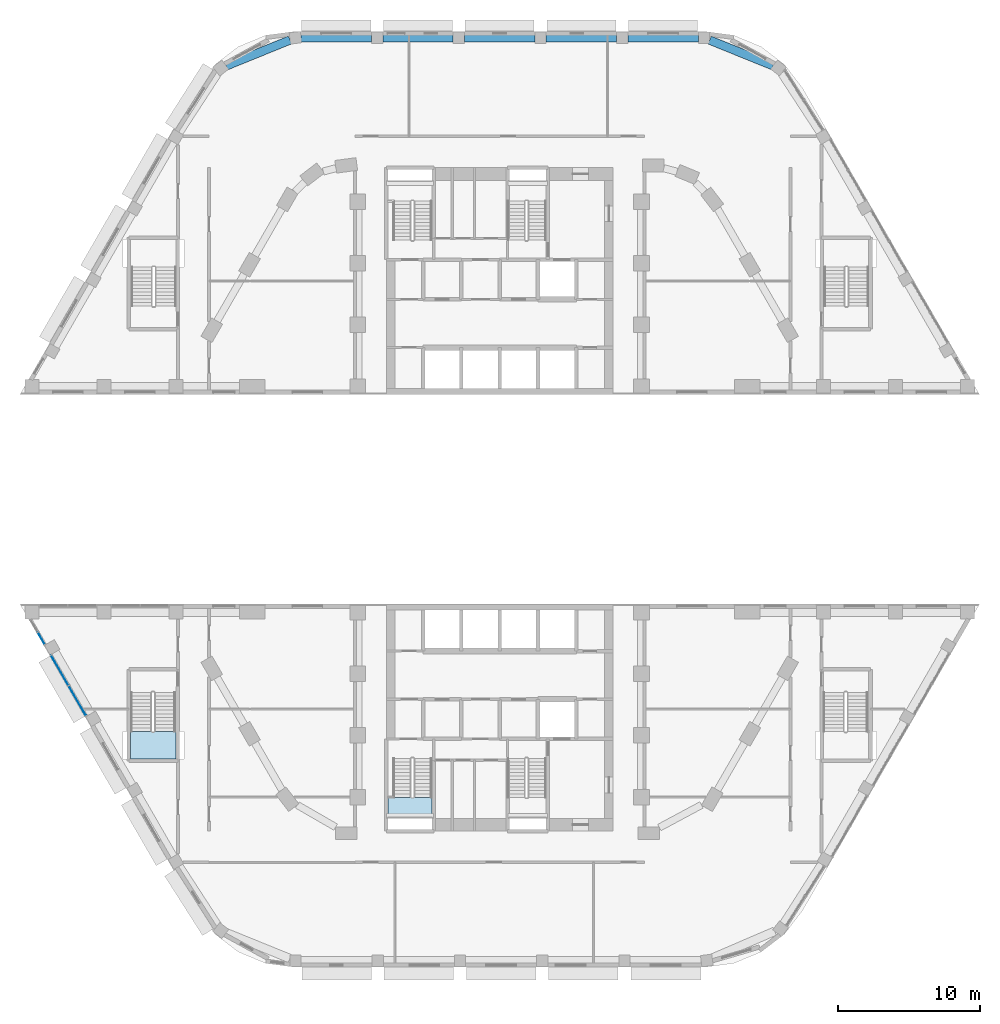
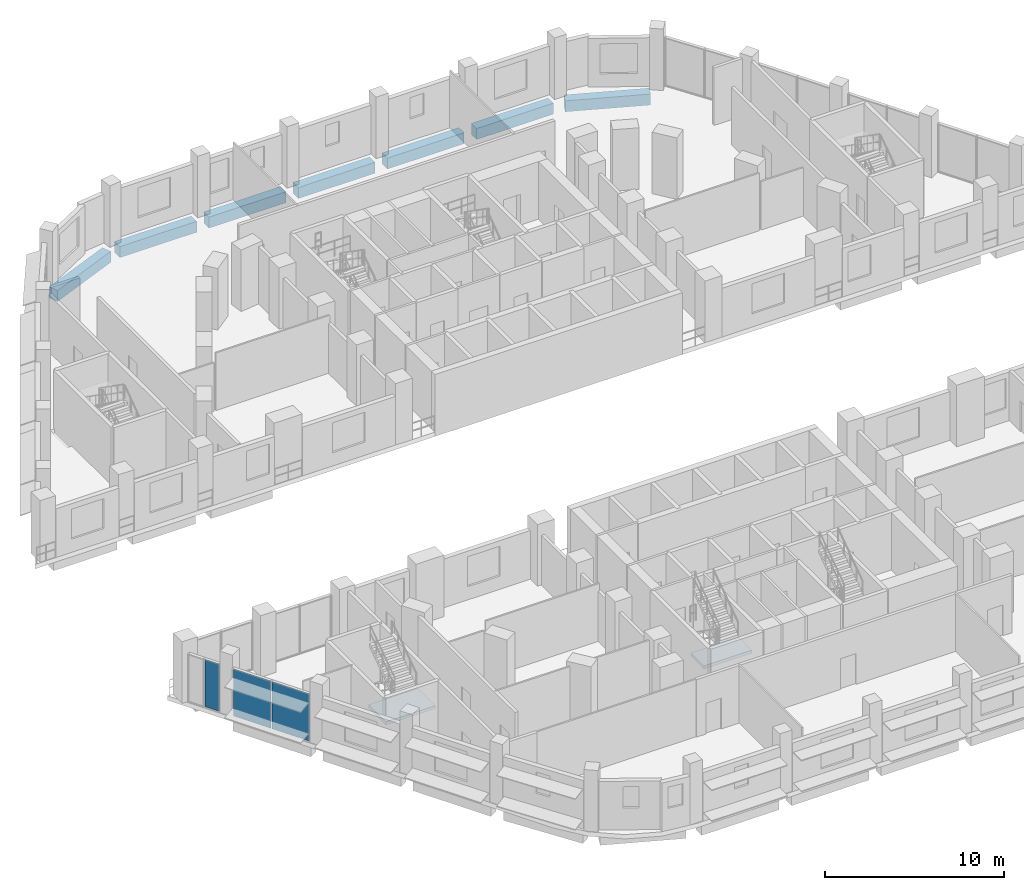
# One storey, part 8 of 22: 7 beams, 3 plates, 2 slabs, 4 elements without a shape of their own.
"""IFC4 building model written with IfcOpenShell, lengths in metres."""

from ifc_helpers import new_model, si_unit, direction, frame, origin, origin_2d, place, context, subcontext, project, spatial, polyline, rectangle, outline, extrude, material, layer, layer_set, material_profile, profile_set, type_object, element, aggregate, save


model = new_model("IFC4")

# Units and contexts
model_context = context("Model", 3, precision=1e-05, world=origin(), true_north=direction((0.0, 1.0)))
body_context = subcontext(model_context, "Body", "Model", "MODEL_VIEW")
ifc_project = project(units=[si_unit("LENGTHUNIT", "METRE"), si_unit("AREAUNIT", "SQUARE_METRE"), si_unit("VOLUMEUNIT", "CUBIC_METRE"), si_unit("PLANEANGLEUNIT", "RADIAN"), si_unit("MASSUNIT", "GRAM", prefix="KILO")], contexts=[model_context])

# Site, building, storey
site_placement = place(None, origin())
site = spatial("IfcSite", under=ifc_project, at=site_placement, CompositionType="ELEMENT")
building_placement = place(site_placement, origin())
building = spatial("IfcBuilding", under=site, at=building_placement, Name="Nakaniwa Court", CompositionType="ELEMENT")
storey_placement = place(building_placement, frame((0.0, 0.0, 24.0)))
storey = spatial("IfcBuildingStorey", under=building, at=storey_placement, Name="L05", CompositionType="ELEMENT", Elevation=24.0)

# Beams
ifc_material_1 = material(Name="Concrete C100/115", Category="concrete")
ifc_material_profile = material_profile(ifc_material_1, rectangle(XDim=0.60009765625, YDim=0.75, at=origin_2d()), Name="Concrete C100/115 RC 600x750 ring beam")
ifc_profile_set = profile_set([ifc_material_profile], Name="Concrete C100/115")
beam_type = type_object("IfcBeamType", Name="Concrete C100/115 RC 600x750 ring beam", PredefinedType="BEAM", material=ifc_profile_set)
beam_1_placement = place(storey_placement, frame((65.212646484375, 112.39453125, -0.675048828125), z_axis=(-0.926515861433, -0.376255708945, 0.0), x_axis=(0.376255708945, -0.926515861433, 0.0)))
element("IfcBeam", 1, at=beam_1_placement, inside=storey, type_object=beam_type, Name="RING BEAM", PredefinedType="BEAM", context=body_context, shape_type="SweptSolid", body=[
    extrude(rectangle(XDim=0.60009765625, YDim=0.75, at=origin_2d()), origin(), (0.0, 0.0, 1.0), 4.857421875),
])
beam_2_placement = place(storey_placement, frame((99.276123046875, 110.575439453125, -0.675048828125), z_axis=(-0.926771165267, 0.375626419771, 0.0), x_axis=(-0.375626419771, -0.926771165267, 0.0)))
element("IfcBeam", 2, at=beam_2_placement, inside=storey, type_object=beam_type, Name="RING BEAM", PredefinedType="BEAM", context=body_context, shape_type="SweptSolid", body=[
    extrude(rectangle(XDim=0.60009765625, YDim=0.75, at=origin_2d()), origin(), (0.0, 0.0, 1.0), 4.8251953125),
])
beam_3_placement = place(storey_placement, frame((94.00439453125, 112.550048828125, -0.675048828125), z_axis=(-1.0, 0.0, 0.0), x_axis=(0.0, -1.0, 0.0)))
element("IfcBeam", 3, at=beam_3_placement, inside=storey, type_object=beam_type, Name="RING BEAM", PredefinedType="BEAM", context=body_context, shape_type="SweptSolid", body=[
    extrude(rectangle(XDim=0.60009765625, YDim=0.75, at=origin_2d()), origin(), (0.0, 0.0, 1.0), 4.9619140625),
])
beam_4_placement = place(storey_placement, frame((88.24267578125, 112.550048828125, -0.675048828125), z_axis=(-1.0, 0.0, 0.0), x_axis=(0.0, -1.0, 0.0)))
element("IfcBeam", 4, at=beam_4_placement, inside=storey, type_object=beam_type, Name="RING BEAM", PredefinedType="BEAM", context=body_context, shape_type="SweptSolid", body=[
    extrude(rectangle(XDim=0.60009765625, YDim=0.75, at=origin_2d()), origin(), (0.0, 0.0, 1.0), 4.961669921875),
])
beam_5_placement = place(storey_placement, frame((82.48095703125, 112.550048828125, -0.675048828125), z_axis=(-1.0, 0.0, 0.0), x_axis=(0.0, -1.0, 0.0)))
element("IfcBeam", 5, at=beam_5_placement, inside=storey, type_object=beam_type, Name="RING BEAM", PredefinedType="BEAM", context=body_context, shape_type="SweptSolid", body=[
    extrude(rectangle(XDim=0.60009765625, YDim=0.75, at=origin_2d()), origin(), (0.0, 0.0, 1.0), 4.9619140625),
])
beam_6_placement = place(storey_placement, frame((76.718994140625, 112.550048828125, -0.675048828125), z_axis=(-1.0, 0.0, 0.0), x_axis=(0.0, -1.0, 0.0)))
element("IfcBeam", 6, at=beam_6_placement, inside=storey, type_object=beam_type, Name="RING BEAM", PredefinedType="BEAM", context=body_context, shape_type="SweptSolid", body=[
    extrude(rectangle(XDim=0.60009765625, YDim=0.75, at=origin_2d()), origin(), (0.0, 0.0, 1.0), 4.961669921875),
])
beam_7_placement = place(storey_placement, frame((70.95751953125, 112.550048828125, -0.675048828125), z_axis=(-1.0, 0.0, 0.0), x_axis=(0.0, -1.0, 0.0)))
element("IfcBeam", 7, at=beam_7_placement, inside=storey, type_object=beam_type, Name="RING BEAM", PredefinedType="BEAM", context=body_context, shape_type="SweptSolid", body=[
    extrude(rectangle(XDim=0.60009765625, YDim=0.75, at=origin_2d()), origin(), (0.0, 0.0, 1.0), 4.958251953125),
])

# Curtain wall, plate
ifc_material_2 = material(Name="Black anodised aluminium frame with dark low-E laminated double glazing", Category="aluminium")
ifc_layer_1 = layer(ifc_material_2, 0.199951171875)
ifc_layer_set_1 = layer_set([ifc_layer_1], Name="Black anodised aluminium frame with dark low-E laminated double glazing")
curtain_wall_type = type_object("IfcCurtainWallType", Name="Podium unitised curtain wall", PredefinedType="NOTDEFINED", material=ifc_layer_set_1)
curtain_wall_1_placement = place(storey_placement, origin())
curtain_wall_1 = element("IfcCurtainWall", 8, at=curtain_wall_1_placement, inside=storey, type_object=curtain_wall_type, Name="L05 curtain wall CW1 12", PredefinedType="NOTDEFINED")
ifc_material_3 = material(Name="Dark toughened glass", Category="glass")
ifc_layer_2 = layer(ifc_material_3, 0.008, Name="Outer pane")
ifc_material_4 = material(Name="Argon filled cavity")
ifc_layer_3 = layer(ifc_material_4, 0.016, Name="Cavity")
ifc_material_5 = material(Name="Dark laminated safety glass", Category="glass")
ifc_layer_4 = layer(ifc_material_5, 0.008, Name="Inner pane")
ifc_layer_set_2 = layer_set([ifc_layer_2, ifc_layer_3, ifc_layer_4], Name="Dark low-E laminated double glazing")
plate_type = type_object("IfcPlateType", Name="Podium unitised curtain wall glass panel", PredefinedType="CURTAIN_PANEL", material=ifc_layer_set_2)
plate_1_placement = place(storey_placement, frame((47.671875, 70.19384765625, 0.050048828125), z_axis=(0.0, 0.0, 1.0), x_axis=(0.499982305557, -0.866035619435, 0.0)))
plate_1 = element("IfcPlate", 9, at=plate_1_placement, type_object=plate_type, Name="CW1 panel 2.1", PredefinedType="CURTAIN_PANEL", context=body_context, shape_type="SweptSolid", body=[
    extrude(rectangle(XDim=0.940673828125, YDim=0.031982421875, at=origin_2d()), origin(), (0.0, 0.0, 1.0), 3.22509765625),
])
aggregate(curtain_wall_1, [plate_1])

# Curtain wall, plates
curtain_wall_2_placement = place(storey_placement, origin())
curtain_wall_2 = element("IfcCurtainWall", 10, at=curtain_wall_2_placement, inside=storey, type_object=curtain_wall_type, Name="L05 curtain wall CW1 13", PredefinedType="NOTDEFINED")
plate_2_placement = place(storey_placement, frame((48.971923828125, 67.9423828125, 0.050048828125), z_axis=(0.0, 0.0, 1.0), x_axis=(0.499991765993, -0.866030157638, 0.0)))
plate_2 = element("IfcPlate", 11, at=plate_2_placement, type_object=plate_type, Name="CW1 panel 1.1", PredefinedType="CURTAIN_PANEL", context=body_context, shape_type="SweptSolid", body=[
    extrude(rectangle(XDim=2.4150390625, YDim=0.031982421875, at=origin_2d()), origin(), (0.0, 0.0, 1.0), 3.22509765625),
])
plate_3_placement = place(storey_placement, frame((50.211669921875, 65.794677734375, 0.050048828125), z_axis=(0.0, 0.0, 1.0), x_axis=(0.499991765993, -0.866030157638, 0.0)))
plate_3 = element("IfcPlate", 12, at=plate_3_placement, type_object=plate_type, Name="CW1 panel 2.1", PredefinedType="CURTAIN_PANEL", context=body_context, shape_type="SweptSolid", body=[
    extrude(rectangle(XDim=2.4150390625, YDim=0.031982421875, at=origin_2d()), origin(), (0.0, 0.0, 1.0), 3.22509765625),
])
aggregate(curtain_wall_2, [plate_2, plate_3])

# Stair, slab
ifc_material_6 = material(Name="Concrete C80/100", Category="concrete")
stair_type_1 = type_object("IfcStairType", Name="Dog leg stair 1300 wide 24 risers", PredefinedType="HALF_TURN_STAIR", material=ifc_material_6)
stair_1_placement = place(storey_placement, origin())
stair_1 = element("IfcStair", 13, at=stair_1_placement, inside=storey, type_object=stair_type_1, Name="L05 Stair ST3", PredefinedType="HALF_TURN_STAIR")
ifc_layer_5 = layer(ifc_material_6, 0.199951171875)
ifc_layer_set_3 = layer_set([ifc_layer_5], Name="Concrete C80/100")
slab_type = type_object("IfcSlabType", Name="Stair landing concrete", PredefinedType="LANDING", material=ifc_layer_set_3)
slab_1_placement = place(storey_placement, frame((0.0, 0.0, 1.89990234375)))
slab_1 = element("IfcSlab", 14, at=slab_1_placement, type_object=slab_type, Name="ST3 landing 1", PredefinedType="LANDING", context=body_context, shape_type="SweptSolid", body=[
    extrude(outline(polyline([(75.22509765625, 57.5), (75.22509765625, 58.97509765625), (72.125, 58.97509765625), (72.125, 57.5), (75.22509765625, 57.5)])), origin(), (0.0, 0.0, 1.0), 0.2001953125),
])
aggregate(stair_1, [slab_1])

stair_type_2 = type_object("IfcStairType", Name="Dog leg stair 1500 wide 24 risers", PredefinedType="HALF_TURN_STAIR", material=ifc_material_6)
stair_2_placement = place(storey_placement, origin())
stair_2 = element("IfcStair", 15, at=stair_2_placement, inside=storey, type_object=stair_type_2, Name="L05 Stair SS4", PredefinedType="HALF_TURN_STAIR")
slab_2_placement = place(storey_placement, frame((0.0, 0.0, 1.89990234375)))
slab_2 = element("IfcSlab", 16, at=slab_2_placement, type_object=slab_type, Name="SS4 landing 1", PredefinedType="LANDING", context=body_context, shape_type="SweptSolid", body=[
    extrude(outline(polyline([(57.175048828125, 61.675048828125), (57.175048828125, 63.625), (53.97509765625, 63.625), (53.97509765625, 61.675048828125), (57.175048828125, 61.675048828125)])), origin(), (0.0, 0.0, 1.0), 0.2001953125),
])
aggregate(stair_2, [slab_2])

save(model, "model.ifc")
